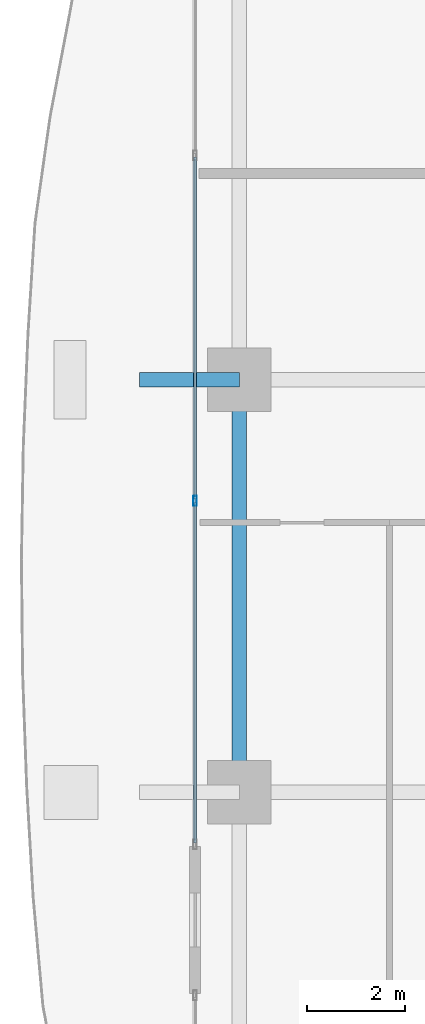
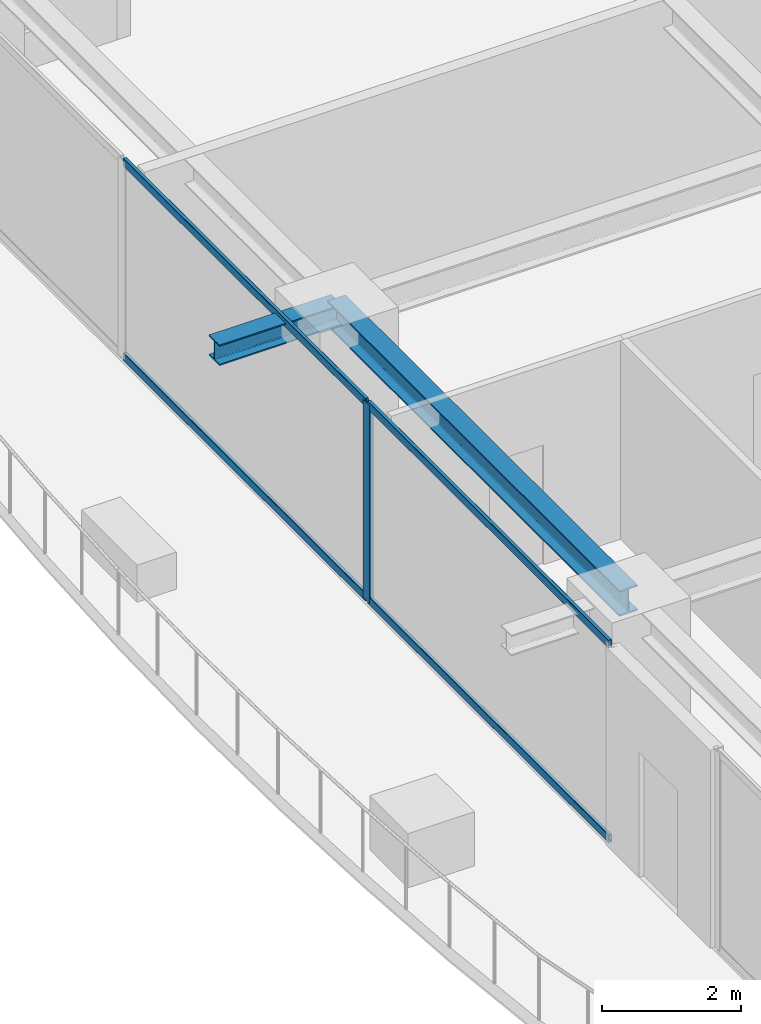
# One storey, part 8 of 35: 5 members, 2 beams, 1 element without a shape of its own.
"""IFC4 building model written with IfcOpenShell, lengths in metres."""

import ifcopenshell
import ifcopenshell.guid

model = None  # the IFC model being written
_history = None  # IfcOwnerHistory: only IFC2X3 demands one
_inside = {}  # id of a spatial element -> (the spatial element, [elements in it])
_under = {}  # id of a project, library or spatial element -> (it, [spatial elements below it])
_declared = {}  # id of a project -> (the project, [libraries it declares])
_typed = {}  # id of a type object -> (the type object, [elements of that type])
_made_of = {}  # id of a material, layer set ... -> (it, [elements and type objects made of it])


def new_model(schema):
    """Start an empty IFC model of exactly this schema.

    Asked for "IFC4X3", IfcOpenShell would pick the latest addendum, in which some entities
    have other attributes; the version numbers below select the first issue.
    IFC2X3 requires an IfcOwnerHistory on every rooted entity: one is made here for all.
    """
    global model, _history
    if schema == "IFC4X3":
        model = ifcopenshell.file(schema_version=(4, 3, 0, 0))
    else:
        model = ifcopenshell.file(schema=schema)
    _inside.clear()
    _under.clear()
    _declared.clear()
    _typed.clear()
    _made_of.clear()
    _history = None
    if model.schema == "IFC2X3":
        org = make("IfcOrganization", Name="unknown")
        user = make(
            "IfcPersonAndOrganization",
            ThePerson=make("IfcPerson", FamilyName="unknown"),
            TheOrganization=org,
        )
        app = make(
            "IfcApplication",
            ApplicationDeveloper=org,
            Version="unknown",
            ApplicationFullName="unknown",
            ApplicationIdentifier="unknown",
        )
        _history = make(
            "IfcOwnerHistory",
            OwningUser=user,
            OwningApplication=app,
            ChangeAction="ADDED",
            CreationDate=0,
        )
    return model


def make(cls, **values):
    """One entity of the class cls with the attributes given. An attribute that is None is left unset."""
    return model.create_entity(
        cls, **{name: value for name, value in values.items() if value is not None}
    )


def rooted(cls, **values):
    """An entity with a GlobalId (a new one), such as an element, a storey or a relation."""
    return make(cls, GlobalId=ifcopenshell.guid.new(), OwnerHistory=_history, **values)


def si_unit(unit_type, name, prefix=None):
    """IfcSIUnit, for example si_unit("LENGTHUNIT", "METRE", prefix="MILLI")."""
    return make("IfcSIUnit", UnitType=unit_type, Prefix=prefix, Name=name)


def assignment(units):
    """IfcUnitAssignment: the units of a project."""
    return None if units is None else make("IfcUnitAssignment", Units=units)


def point(xyz):
    """IfcCartesianPoint."""
    return None if xyz is None else make("IfcCartesianPoint", Coordinates=xyz)


def direction(xyz):
    """IfcDirection."""
    return None if xyz is None else make("IfcDirection", DirectionRatios=xyz)


def frame(location, z_axis=None, x_axis=None):
    """IfcAxis2Placement3D, a coordinate frame: its origin and axes. An axis left out is left unset."""
    return make(
        "IfcAxis2Placement3D",
        Location=point(location),
        Axis=direction(z_axis),
        RefDirection=direction(x_axis),
    )


def frame_2d(location, x_axis=None):
    """IfcAxis2Placement2D, a coordinate frame in the plane: its origin and x axis."""
    return make(
        "IfcAxis2Placement2D", Location=point(location), RefDirection=direction(x_axis)
    )


def origin():
    """The frame at (0, 0, 0) with its axes left unset."""
    return frame((0.0, 0.0, 0.0))


def origin_2d():
    """The frame at (0, 0) in the plane with its x axis left unset."""
    return frame_2d((0.0, 0.0))


def place(relative_to, where):
    """IfcLocalPlacement: puts the frame where relative to a parent placement (None: the world)."""
    return make(
        "IfcLocalPlacement", PlacementRelTo=relative_to, RelativePlacement=where
    )


def context(
    kind, dimensions, precision=None, world=None, true_north=None, identifier=None
):
    """IfcGeometricRepresentationContext, for example the 3D "Model" context."""
    return make(
        "IfcGeometricRepresentationContext",
        ContextIdentifier=identifier,
        ContextType=kind,
        CoordinateSpaceDimension=dimensions,
        Precision=precision,
        WorldCoordinateSystem=world,
        TrueNorth=true_north,
    )


def subcontext(parent, identifier, kind, view, scale=None):
    """IfcGeometricRepresentationSubContext, for example "Body" below "Model"."""
    return make(
        "IfcGeometricRepresentationSubContext",
        ContextIdentifier=identifier,
        ContextType=kind,
        ParentContext=parent,
        TargetScale=scale,
        TargetView=view,
    )


def project(units=None, contexts=None):
    """IfcProject with its units and contexts."""
    return rooted(
        "IfcProject",
        Name="project",
        RepresentationContexts=contexts,
        UnitsInContext=assignment(units),
    )


def spatial(cls, under=None, at=None, **own):
    """A site, building, storey or space (cls), placed at a placement, below another one or the project."""
    s = rooted(cls, ObjectPlacement=at, **own)
    if under is not None:
        _under.setdefault(under.id(), (under, []))[1].append(s)
    return s


def profile(cls, at=None, kind="AREA", **sizes):
    """A parametric profile (cls). Its sizes go by their IFC names, for example OverallWidth=200.0."""
    return make(cls, ProfileType=kind, Position=at, **sizes)


def hollow_rectangle(**sizes):
    """IfcRectangleHollowProfileDef."""
    return profile("IfcRectangleHollowProfileDef", **sizes)


def i_section(**sizes):
    """IfcIShapeProfileDef."""
    return profile("IfcIShapeProfileDef", **sizes)


def extrude(swept, where, along, depth):
    """IfcExtrudedAreaSolid: the profile swept, set in the frame where, extruded along a direction by depth."""
    return make(
        "IfcExtrudedAreaSolid",
        SweptArea=swept,
        Position=where,
        ExtrudedDirection=direction(along),
        Depth=depth,
    )


def shape(context_of_items, identifier, shape_type, items):
    """IfcShapeRepresentation: the items that make up one representation, for example the "Body"."""
    return make(
        "IfcShapeRepresentation",
        ContextOfItems=context_of_items,
        RepresentationIdentifier=identifier,
        RepresentationType=shape_type,
        Items=items,
    )


def source(mapping_origin, context_of_items, identifier, shape_type, items):
    """IfcRepresentationMap: a shape defined once, which mapped items show again and again."""
    return make(
        "IfcRepresentationMap",
        MappingOrigin=mapping_origin,
        MappedRepresentation=shape(context_of_items, identifier, shape_type, items),
    )


def transform(
    local_origin,
    x_axis=None,
    y_axis=None,
    z_axis=None,
    scale=None,
    scale2=None,
    scale3=None,
    uniform=True,
):
    """IfcCartesianTransformationOperator3D, or its non-uniform kind. x_axis, y_axis, z_axis: its Axis1, 2, 3."""
    if uniform:
        return make(
            "IfcCartesianTransformationOperator3D",
            Axis1=direction(x_axis),
            Axis2=direction(y_axis),
            LocalOrigin=point(local_origin),
            Scale=scale,
            Axis3=direction(z_axis),
        )
    return make(
        "IfcCartesianTransformationOperator3DnonUniform",
        Axis1=direction(x_axis),
        Axis2=direction(y_axis),
        LocalOrigin=point(local_origin),
        Scale=scale,
        Axis3=direction(z_axis),
        Scale2=scale2,
        Scale3=scale3,
    )


def mapped(mapping_source, mapping_target):
    """IfcMappedItem: shows the shape of a source again, moved by a transform."""
    return make(
        "IfcMappedItem", MappingSource=mapping_source, MappingTarget=mapping_target
    )


def material(Name=None, Category=None):
    """IfcMaterial."""
    return make("IfcMaterial", Name=Name, Category=Category)


def layer(
    of_material, thickness, ventilated=None, Name=None, Category=None, Priority=None
):
    """IfcMaterialLayer: one layer of a wall or slab, of a material (None: an air gap)."""
    return make(
        "IfcMaterialLayer",
        Material=of_material,
        LayerThickness=thickness,
        IsVentilated=ventilated,
        Name=Name,
        Category=Category,
        Priority=Priority,
    )


def layer_set(layers, Name=None):
    """IfcMaterialLayerSet."""
    return make("IfcMaterialLayerSet", MaterialLayers=layers, LayerSetName=Name)


def material_profile(
    of_material, cross_section, Name=None, Category=None, Priority=None
):
    """IfcMaterialProfile: a cross section and its material."""
    return make(
        "IfcMaterialProfile",
        Name=Name,
        Material=of_material,
        Profile=cross_section,
        Priority=Priority,
        Category=Category,
    )


def profile_set(profiles, Name=None, composite=None):
    """IfcMaterialProfileSet."""
    return make(
        "IfcMaterialProfileSet",
        Name=Name,
        MaterialProfiles=profiles,
        CompositeProfile=composite,
    )


def made_of(thing, what):
    """Note that an element or type object is made of a material, layer set ...; save() writes the relation."""
    if what is not None:
        _made_of.setdefault(what.id(), (what, []))[1].append(thing)
    return thing


def type_object(cls, material=None, **own):
    """A type object (cls), such as IfcWallType, which elements share."""
    return made_of(rooted(cls, **own), material)


def element(
    cls,
    number,
    at=None,
    inside=None,
    cuts=None,
    type_object=None,
    material=None,
    context=None,
    identifier="Body",
    shape_type=None,
    held_by="IfcProductDefinitionShape",
    body=None,
    shapes=None,
    **own,
):
    """One element of the class cls, such as IfcWall. Its Tag is "e" and its number.

    at: its placement. inside: the storey or other place that contains it. cuts: it is an
    opening in that element (IfcRelVoidsElement). A single representation is given by context,
    identifier, shape_type and body (its items); several are given by shapes. held_by: the class
    of the entity that holds the representations. save() writes the other relations.
    """
    e = rooted(cls, Tag="e%d" % number, ObjectPlacement=at, **own)
    if body is not None:
        shapes = [shape(context, identifier, shape_type, body)]
    if shapes is not None:
        e.Representation = make(held_by, Representations=shapes)
    if inside is not None:
        _inside.setdefault(inside.id(), (inside, []))[1].append(e)
    if cuts is not None:
        rooted(
            "IfcRelVoidsElement", RelatingBuildingElement=cuts, RelatedOpeningElement=e
        )
    if type_object is not None:
        _typed.setdefault(type_object.id(), (type_object, []))[1].append(e)
    return made_of(e, material)


def aggregate(whole, parts):
    """IfcRelAggregates: a whole, such as a stair, and the parts it consists of."""
    return rooted("IfcRelAggregates", RelatingObject=whole, RelatedObjects=parts)


def save(model, path):
    """Write the relations noted so far, then the file.

    IfcRelAggregates (storeys below a building ...), IfcRelContainedInSpatialStructure (elements
    in a storey), IfcRelDefinesByType, IfcRelAssociatesMaterial and IfcRelDeclares: one each for
    every whole, place, type object, material and project.
    """
    for whole, parts in _under.values():
        aggregate(whole, parts)
    for where, things in _inside.values():
        rooted(
            "IfcRelContainedInSpatialStructure",
            RelatedElements=things,
            RelatingStructure=where,
        )
    for kind, things in _typed.values():
        rooted("IfcRelDefinesByType", RelatedObjects=things, RelatingType=kind)
    for what, things in _made_of.values():
        rooted("IfcRelAssociatesMaterial", RelatedObjects=things, RelatingMaterial=what)
    for by, libraries in _declared.values():
        rooted("IfcRelDeclares", RelatingContext=by, RelatedDefinitions=libraries)
    model.write(path)


model = new_model("IFC4")

# Units and contexts
model_context = context("Model", 3, precision=1e-05, world=origin(), true_north=direction((0.0, 1.0)))
body_context = subcontext(model_context, "Body", "Model", "MODEL_VIEW")
ifc_project = project(units=[si_unit("LENGTHUNIT", "METRE"), si_unit("AREAUNIT", "SQUARE_METRE"), si_unit("VOLUMEUNIT", "CUBIC_METRE"), si_unit("PLANEANGLEUNIT", "RADIAN"), si_unit("MASSUNIT", "GRAM", prefix="KILO")], contexts=[model_context])

# Site, building, storey
site_placement = place(None, origin())
site = spatial("IfcSite", under=ifc_project, at=site_placement, CompositionType="ELEMENT")
building_placement = place(site_placement, origin())
building = spatial("IfcBuilding", under=site, at=building_placement, Name="Serunith Strait Residences", CompositionType="ELEMENT")
storey_placement = place(building_placement, frame((0.0, 0.0, 157.64990234375)))
storey = spatial("IfcBuildingStorey", under=building, at=storey_placement, Name="L39", CompositionType="ELEMENT", Elevation=157.64990234375)

# Beams
ifc_material_1 = material(Name="Steel S355J2", Category="steel")
ifc_material_profile_1 = material_profile(ifc_material_1, i_section(OverallWidth=0.300048828125, OverallDepth=0.449951171875, WebThickness=0.013916015625, FlangeThickness=0.02587890625, FilletRadius=0.027099609375, at=origin_2d()), Name="HEB 450")
ifc_profile_set_1 = profile_set([ifc_material_profile_1], Name="Steel S355J2")
beam_type_1 = type_object("IfcBeamType", Name="BM-HEB450", PredefinedType="BEAM", material=ifc_profile_set_1)
shared_shape_1 = source(origin(), body_context, "Body", "SweptSolid", [
    extrude(i_section(OverallWidth=0.300048828125, OverallDepth=0.449951171875, WebThickness=0.013916015625, FlangeThickness=0.02587890625, FilletRadius=0.027099609375, at=origin_2d()), origin(), (0.0, 0.0, 1.0), 8.39990234375),
])
beam_1_placement = place(storey_placement, frame((8.699951171875, 29.39990234375, 3.26220703125), z_axis=(0.0, -1.0, 0.0), x_axis=(1.0, 0.0, 0.0)))
element("IfcBeam", 1, at=beam_1_placement, inside=storey, type_object=beam_type_1, Name="L39 Perimeter Ring Beam 14", PredefinedType="BEAM", context=body_context, shape_type="MappedRepresentation", body=[
    mapped(shared_shape_1, transform((0.0, 0.0, 0.0), scale=1.0)),
])
ifc_material_profile_2 = material_profile(ifc_material_1, i_section(OverallWidth=0.300048828125, OverallDepth=0.360107421875, WebThickness=0.012451171875, FlangeThickness=0.0224609375, FilletRadius=0.027099609375, at=origin_2d()), Name="HEB 360")
ifc_profile_set_2 = profile_set([ifc_material_profile_2], Name="Steel S355J2")
beam_type_2 = type_object("IfcBeamType", Name="BM-HEB360", PredefinedType="BEAM", material=ifc_profile_set_2)
shared_shape_2 = source(origin(), body_context, "Body", "SweptSolid", [
    extrude(i_section(OverallWidth=0.300048828125, OverallDepth=0.360107421875, WebThickness=0.012451171875, FlangeThickness=0.0224609375, FilletRadius=0.027099609375, at=origin_2d()), origin(), (0.0, 0.0, 1.0), 2.030029296875),
])
beam_2_placement = place(storey_placement, frame((8.699951171875, 29.39990234375, 3.277099609375), z_axis=(-1.0, 0.0, 0.0), x_axis=(0.0, -1.0, 0.0)))
element("IfcBeam", 2, at=beam_2_placement, inside=storey, type_object=beam_type_2, Name="L40 Cantilevered Balcony Rib TC-W3", PredefinedType="BEAM", context=body_context, shape_type="MappedRepresentation", body=[
    mapped(shared_shape_2, transform((0.0, 0.0, 0.0), scale=1.0)),
])

# Curtain wall, members
ifc_material_2 = material(Name="Pale-Champagne Anodised Aluminium", Category="aluminium")
ifc_layer = layer(ifc_material_2, 0.199951171875, Name="Pale-Champagne Anodised Aluminium")
ifc_layer_set = layer_set([ifc_layer], Name="Pale-Champagne Anodised Aluminium")
curtain_wall_type = type_object("IfcCurtainWallType", Name="CW-SYS2", PredefinedType="NOTDEFINED", material=ifc_layer_set)
curtain_wall_placement = place(storey_placement, origin())
curtain_wall = element("IfcCurtainWall", 3, at=curtain_wall_placement, inside=storey, type_object=curtain_wall_type, Name="L39 W Unitised Fritted Curtain Wall", PredefinedType="NOTDEFINED")
ifc_material_profile_3 = material_profile(ifc_material_2, hollow_rectangle(XDim=0.070068359375, YDim=0.199951171875, WallThickness=0.00390625, InnerFilletRadius=0.006103515625, OuterFilletRadius=0.010009765625, at=origin_2d()), Name="ALU 200x70x4")
ifc_profile_set_3 = profile_set([ifc_material_profile_3], Name="Pale-Champagne Anodised Aluminium")
member_type_1 = type_object("IfcMemberType", Name="CW-SYS2-MULL", PredefinedType="MULLION", material=ifc_profile_set_3)
shared_shape_3 = source(origin(), body_context, "Body", "SweptSolid", [
    extrude(hollow_rectangle(XDim=0.070068359375, YDim=0.199951171875, WallThickness=0.00390625, InnerFilletRadius=0.006103515625, OuterFilletRadius=0.010009765625, at=origin_2d()), origin(), (0.0, 0.0, 1.0), 3.47509765625),
])
member_1_placement = place(storey_placement, frame((7.800048828125, 26.933349609375, 0.0), z_axis=(0.0, 0.0, 1.0), x_axis=(1.0, 0.0, 0.0)))
member_1 = element("IfcMember", 4, at=member_1_placement, type_object=member_type_1, Name="CW-2 mullion 3", PredefinedType="MULLION", context=body_context, shape_type="MappedRepresentation", body=[
    mapped(shared_shape_3, transform((0.0, 0.0, 0.0), scale=1.0)),
])
ifc_material_profile_4 = material_profile(ifc_material_2, hollow_rectangle(XDim=0.06005859375, YDim=0.139892578125, WallThickness=0.00341796875, InnerFilletRadius=0.00537109375, OuterFilletRadius=0.0087890625, at=origin_2d()), Name="ALU 140x60x3.5")
ifc_profile_set_4 = profile_set([ifc_material_profile_4], Name="Pale-Champagne Anodised Aluminium")
member_type_2 = type_object("IfcMemberType", Name="CW-SYS2-TRAN", PredefinedType="USERDEFINED", material=ifc_profile_set_4)
shared_shape_4 = source(origin(), body_context, "Body", "SweptSolid", [
    extrude(hollow_rectangle(XDim=0.06005859375, YDim=0.139892578125, WallThickness=0.00341796875, InnerFilletRadius=0.00537109375, OuterFilletRadius=0.0087890625, at=origin_2d()), origin(), (0.0, 0.0, 1.0), 6.96337890625),
])
member_2_placement = place(storey_placement, frame((7.800048828125, 33.931640625, 0.030029296875), z_axis=(0.0, -1.0, 0.0), x_axis=(1.0, 0.0, 0.0)))
member_2 = element("IfcMember", 5, at=member_2_placement, type_object=member_type_2, Name="CW-2 transom 2.1", ObjectType="TRANSOM", PredefinedType="USERDEFINED", context=body_context, shape_type="MappedRepresentation", body=[
    mapped(shared_shape_4, transform((0.0, 0.0, 0.0), scale=1.0)),
])
member_3_placement = place(storey_placement, frame((7.800048828125, 33.931640625, 3.445068359375), z_axis=(0.0, -1.0, 0.0), x_axis=(1.0, 0.0, 0.0)))
member_3 = element("IfcMember", 6, at=member_3_placement, type_object=member_type_2, Name="CW-2 transom 2.2", ObjectType="TRANSOM", PredefinedType="USERDEFINED", context=body_context, shape_type="MappedRepresentation", body=[
    mapped(shared_shape_4, transform((0.0, 0.0, 0.0), scale=1.0)),
])
shared_shape_5 = source(origin(), body_context, "Body", "SweptSolid", [
    extrude(hollow_rectangle(XDim=0.06005859375, YDim=0.139892578125, WallThickness=0.00341796875, InnerFilletRadius=0.00537109375, OuterFilletRadius=0.0087890625, at=origin_2d()), origin(), (0.0, 0.0, 1.0), 6.928466796875),
])
member_4_placement = place(storey_placement, frame((7.800048828125, 26.8984375, 0.030029296875), z_axis=(0.0, -1.0, 0.0), x_axis=(1.0, 0.0, 0.0)))
member_4 = element("IfcMember", 7, at=member_4_placement, type_object=member_type_2, Name="CW-2 transom 3.1", ObjectType="TRANSOM", PredefinedType="USERDEFINED", context=body_context, shape_type="MappedRepresentation", body=[
    mapped(shared_shape_5, transform((0.0, 0.0, 0.0), scale=1.0)),
])
member_5_placement = place(storey_placement, frame((7.800048828125, 26.8984375, 3.445068359375), z_axis=(0.0, -1.0, 0.0), x_axis=(1.0, 0.0, 0.0)))
member_5 = element("IfcMember", 8, at=member_5_placement, type_object=member_type_2, Name="CW-2 transom 3.2", ObjectType="TRANSOM", PredefinedType="USERDEFINED", context=body_context, shape_type="MappedRepresentation", body=[
    mapped(shared_shape_5, transform((0.0, 0.0, 0.0), scale=1.0)),
])
aggregate(curtain_wall, [member_1, member_2, member_3, member_4, member_5])

save(model, "model.ifc")
